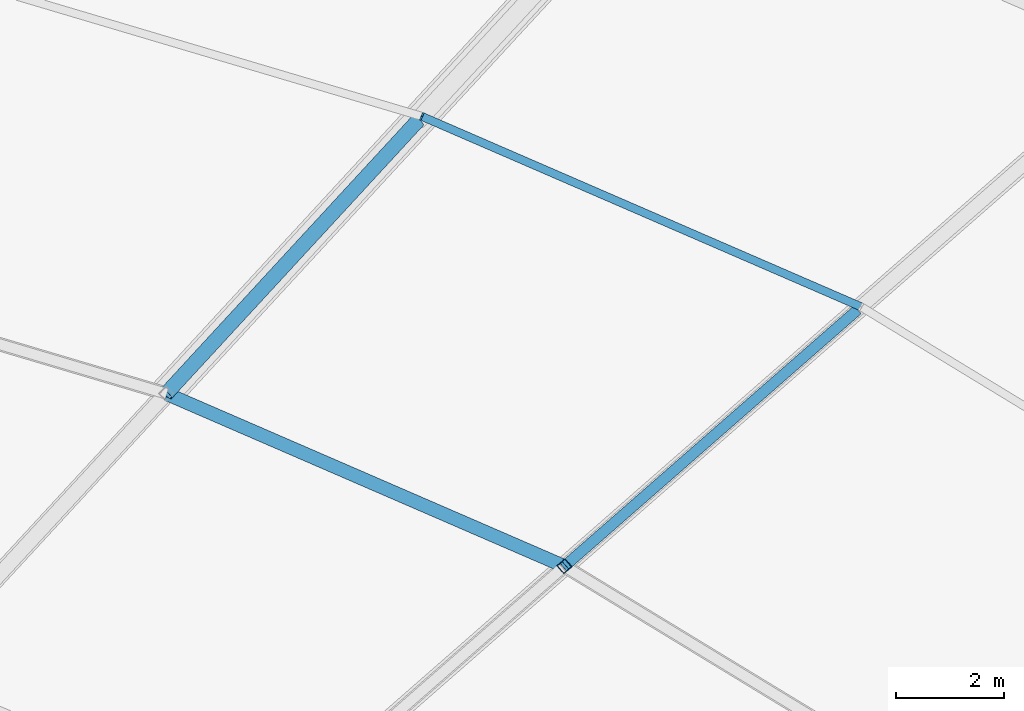
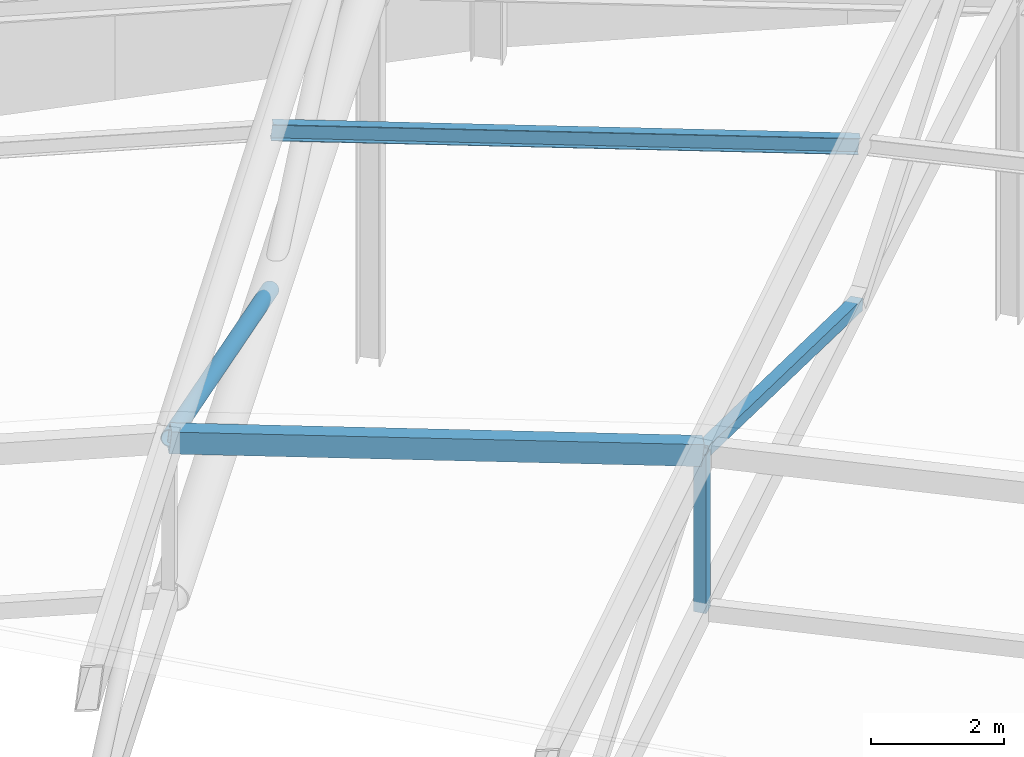
# One storey, part 79 of 143: 4 members, 1 beam.
"""IFC4 building model written with IfcOpenShell, lengths in metres."""

from ifc_helpers import new_model, si_unit, direction, frame, origin, origin_2d, place, context, subcontext, project, spatial, hollow_rectangle, hollow_circle, i_section, extrude, material, material_profile, profile_set, type_object, element, save


model = new_model("IFC4")

# Units and contexts
model_context = context("Model", 3, precision=1e-05, world=origin(), true_north=direction((0.0, 1.0)))
body_context = subcontext(model_context, "Body", "Model", "MODEL_VIEW")
ifc_project = project(units=[si_unit("LENGTHUNIT", "METRE"), si_unit("AREAUNIT", "SQUARE_METRE"), si_unit("VOLUMEUNIT", "CUBIC_METRE"), si_unit("PLANEANGLEUNIT", "RADIAN"), si_unit("MASSUNIT", "GRAM", prefix="KILO")], contexts=[model_context])

# Site, building, storey
site_placement = place(None, origin())
site = spatial("IfcSite", under=ifc_project, at=site_placement, CompositionType="ELEMENT")
building_placement = place(site_placement, origin())
building = spatial("IfcBuilding", under=site, at=building_placement, Name="Mphavela Belvedere Stadium", CompositionType="ELEMENT")
storey_placement = place(building_placement, frame((0.0, 0.0, 28.800048828125)))
storey = spatial("IfcBuildingStorey", under=building, at=storey_placement, Name="RF", CompositionType="ELEMENT", Elevation=28.800048828125)

# Beam
ifc_material_1 = material(Name="Steel S355", Category="steel")
ifc_material_profile_1 = material_profile(ifc_material_1, hollow_rectangle(XDim=0.25, YDim=0.39990234375, WallThickness=0.01611328125, at=origin_2d()), Name="RHS 400x250x16")
ifc_profile_set_1 = profile_set([ifc_material_profile_1], Name="Steel S355")
beam_type = type_object("IfcBeamType", Name="BM-RING-MID", PredefinedType="BEAM", material=ifc_profile_set_1)
beam_placement = place(storey_placement, frame((168.5224609375, 133.83349609375, 7.064697265625), z_axis=(-0.912119141721, 0.395386256728, 0.108205264648), x_axis=(-0.397721448972, -0.917506211983, 0.0)))
element("IfcBeam", 1, at=beam_placement, inside=storey, type_object=beam_type, Name="Intermediate roof ring beam RB-MID-08", PredefinedType="BEAM", context=body_context, shape_type="SweptSolid", body=[
    extrude(hollow_rectangle(XDim=0.25, YDim=0.39990234375, WallThickness=0.01611328125, at=origin_2d()), origin(), (0.0, 0.0, 1.0), 8.10009765625),
])

# Members
ifc_material_2 = material(Name="Steel S355", Category="steel")
ifc_material_profile_2 = material_profile(ifc_material_2, hollow_circle(Radius=0.136474609375, WallThickness=0.012451171875, at=origin_2d()), Name="CHS 273x12.5")
ifc_profile_set_2 = profile_set([ifc_material_profile_2], Name="Steel S355")
member_type_1 = type_object("IfcMemberType", Name="MEM-DIAG-273", PredefinedType="BRACE", material=ifc_profile_set_2)
member_1_placement = place(storey_placement, frame((165.805419921875, 142.10205078125, 5.963623046875), z_axis=(-0.651580282187, -0.706647721495, 0.275848026222), x_axis=(0.735171445664, -0.677881217826, 0.0)))
element("IfcMember", 2, at=member_1_placement, inside=storey, type_object=member_type_1, Name="Radial roof truss RT-09 web diagonal D4", PredefinedType="BRACE", context=body_context, shape_type="SweptSolid", body=[
    extrude(hollow_circle(Radius=0.136474609375, WallThickness=0.012451171875, at=origin_2d()), origin(), (0.0, 0.0, 1.0), 7.1689453125),
])
ifc_material_3 = material(Name="Steel S355", Category="steel")
ifc_material_profile_3 = material_profile(ifc_material_3, hollow_rectangle(XDim=0.199951171875, YDim=0.199951171875, WallThickness=0.010009765625, at=origin_2d()), Name="SHS 200x200x10")
ifc_profile_set_3 = profile_set([ifc_material_profile_3], Name="Steel S355")
member_type_2 = type_object("IfcMemberType", Name="MEM-POST-SHS200", PredefinedType="POST", material=ifc_profile_set_3)
member_2_placement = place(storey_placement, frame((168.5224609375, 133.83349609375, 4.164794921875), z_axis=(0.0, 0.0, 1.0), x_axis=(0.752529860433, 0.658558128912, 0.0)))
element("IfcMember", 3, at=member_2_placement, inside=storey, type_object=member_type_2, Name="Radial roof truss RT-08 post P3", PredefinedType="POST", context=body_context, shape_type="SweptSolid", body=[
    extrude(hollow_rectangle(XDim=0.199951171875, YDim=0.199951171875, WallThickness=0.010009765625, at=origin_2d()), origin(), (0.0, 0.0, 1.0), 2.89990234375),
])
member_3_placement = place(storey_placement, frame((173.94140625, 138.5751953125, 4.99853515625), z_axis=(-0.723377197718, -0.632971343219, 0.275812814214), x_axis=(0.658514209396, -0.752568293263, 0.0)))
element("IfcMember", 4, at=member_3_placement, inside=storey, type_object=member_type_2, Name="Radial roof truss RT-08 web diagonal D4", PredefinedType="POST", context=body_context, shape_type="SweptSolid", body=[
    extrude(hollow_rectangle(XDim=0.199951171875, YDim=0.199951171875, WallThickness=0.010009765625, at=origin_2d()), origin(), (0.0, 0.0, 1.0), 7.4912109375),
])
ifc_material_4 = material(Name="Steel S355", Category="steel")
ifc_material_profile_4 = material_profile(ifc_material_4, i_section(OverallWidth=0.14990234375, OverallDepth=0.300048828125, WebThickness=0.007080078125, FlangeThickness=0.0107421875, at=origin_2d()), Name="IPE 300")
ifc_profile_set_4 = profile_set([ifc_material_profile_4], Name="Steel S355")
member_type_3 = type_object("IfcMemberType", Name="MEM-PURLIN-IPE300", PredefinedType="PURLIN", material=ifc_profile_set_4)
member_4_placement = place(storey_placement, frame((174.024658203125, 138.64794921875, 7.84814453125), z_axis=(-0.912110365187, 0.395406348231, 0.108205829311), x_axis=(-0.397741683728, -0.917497440337, 0.0)))
element("IfcMember", 5, at=member_4_placement, inside=storey, type_object=member_type_3, Name="Saddle canopy steel purlin 08-2", PredefinedType="PURLIN", context=body_context, shape_type="SweptSolid", body=[
    extrude(i_section(OverallWidth=0.14990234375, OverallDepth=0.300048828125, WebThickness=0.007080078125, FlangeThickness=0.0107421875, at=origin_2d()), origin(), (0.0, 0.0, 1.0), 8.9326171875),
])

save(model, "model.ifc")
